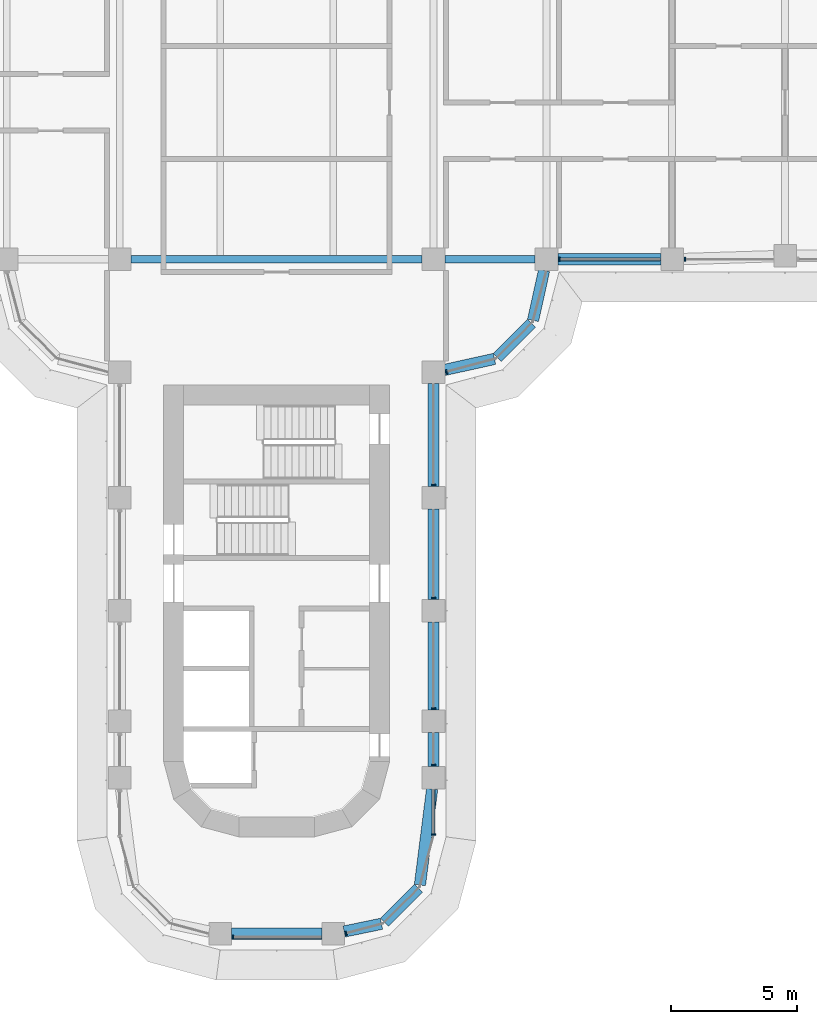
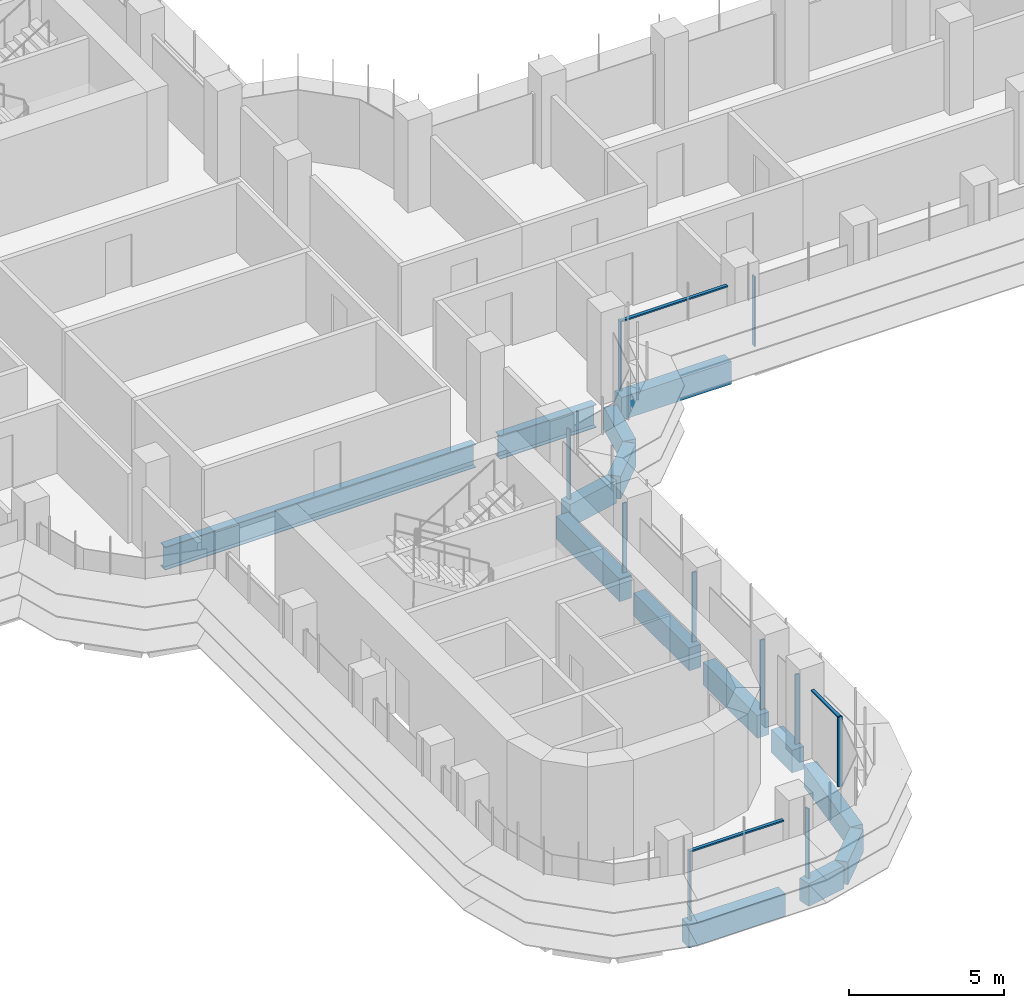
# One storey, part 4 of 22: 14 beams, 13 members, 5 elements without a shape of their own.
"""IFC4 building model written with IfcOpenShell, lengths in metres."""

from ifc_helpers import new_model, si_unit, direction, frame, origin, origin_2d, place, context, subcontext, project, spatial, polyline, rectangle, i_section, outline, extrude, source, transform, mapped, material, material_profile, profile_set, type_object, element, aggregate, save


model = new_model("IFC4")

# Units and contexts
model_context = context("Model", 3, precision=1e-05, world=origin(), true_north=direction((0.0, 1.0)))
body_context = subcontext(model_context, "Body", "Model", "MODEL_VIEW")
ifc_project = project(units=[si_unit("LENGTHUNIT", "METRE"), si_unit("AREAUNIT", "SQUARE_METRE"), si_unit("VOLUMEUNIT", "CUBIC_METRE"), si_unit("PLANEANGLEUNIT", "RADIAN"), si_unit("MASSUNIT", "GRAM", prefix="KILO")], contexts=[model_context])

# Site, building, storey
site_placement = place(None, origin())
site = spatial("IfcSite", under=ifc_project, at=site_placement, CompositionType="ELEMENT")
building_placement = place(site_placement, origin())
building = spatial("IfcBuilding", under=site, at=building_placement, Name="Zarbagh Exchange Tower", CompositionType="ELEMENT")
storey_placement = place(building_placement, frame((0.0, 0.0, 94.199951171875)))
storey = spatial("IfcBuildingStorey", under=building, at=storey_placement, Name="L21", CompositionType="ELEMENT", Elevation=94.199951171875)

# Beams
ifc_material_1 = material(Name="Steel ASTM A992 Gr 50", Category="steel")
ifc_material_profile_1 = material_profile(ifc_material_1, i_section(OverallWidth=0.3046875, OverallDepth=0.911865234375, WebThickness=0.015869140625, FlangeThickness=0.02392578125, at=origin_2d()), Name="W36X150")
ifc_profile_set_1 = profile_set([ifc_material_profile_1], Name="Steel ASTM A992 Gr 50")
beam_type_1 = type_object("IfcBeamType", Name="Floor girder W36X150", PredefinedType="BEAM", material=ifc_profile_set_1)
beam_1_placement = place(storey_placement, frame((-5.800048828125, -6.25, -0.60595703125), z_axis=(1.0, 0.0, 0.0), x_axis=(0.0, 1.0, 0.0)))
element("IfcBeam", 1, at=beam_1_placement, inside=storey, type_object=beam_type_1, Name="Steel girder", PredefinedType="BEAM", context=body_context, shape_type="SweptSolid", body=[
    extrude(i_section(OverallWidth=0.3046875, OverallDepth=0.911865234375, WebThickness=0.015869140625, FlangeThickness=0.02392578125, at=origin_2d()), origin(), (0.0, 0.0, 1.0), 11.60009765625),
])
beam_2_placement = place(storey_placement, frame((6.699951171875, -6.25, -0.60595703125), z_axis=(1.0, 0.0, 0.0), x_axis=(0.0, 1.0, 0.0)))
element("IfcBeam", 2, at=beam_2_placement, inside=storey, type_object=beam_type_1, Name="Steel girder", PredefinedType="BEAM", context=body_context, shape_type="SweptSolid", body=[
    extrude(i_section(OverallWidth=0.3046875, OverallDepth=0.911865234375, WebThickness=0.015869140625, FlangeThickness=0.02392578125, at=origin_2d()), origin(), (0.0, 0.0, 1.0), 3.60009765625),
])
ifc_material_2 = material(Name="Concrete C60/75", Category="concrete")
ifc_material_profile_2 = material_profile(ifc_material_2, rectangle(XDim=0.449951171875, YDim=0.89990234375, at=origin_2d()), Name="RC spandrel beam 450 x 900 C60/75")
ifc_profile_set_2 = profile_set([ifc_material_profile_2], Name="Concrete C60/75")
beam_type_2 = type_object("IfcBeamType", Name="RC spandrel beam 450 x 900 C60/75", PredefinedType="SPANDREL", material=ifc_profile_set_2)
beam_3_placement = place(storey_placement, frame((15.300048828125, -6.25, -0.599853515625), z_axis=(-1.0, 0.0, 0.0), x_axis=(0.0, -1.0, 0.0)))
element("IfcBeam", 3, at=beam_3_placement, inside=storey, type_object=beam_type_2, Name="RC spandrel beam", PredefinedType="SPANDREL", context=body_context, shape_type="SweptSolid", body=[
    extrude(rectangle(XDim=0.449951171875, YDim=0.89990234375, at=origin_2d()), origin(), (0.0, 0.0, 1.0), 4.10009765625),
])
beam_4_placement = place(storey_placement, frame((10.65283203125, -6.689453125, -0.599853515625), z_axis=(-0.216117666208, -0.976367325525, 0.0), x_axis=(0.976367325525, -0.216117666208, 0.0)))
element("IfcBeam", 4, at=beam_4_placement, inside=storey, type_object=beam_type_2, Name="RC spandrel beam", PredefinedType="SPANDREL", context=body_context, shape_type="SweptSolid", body=[
    extrude(rectangle(XDim=0.449951171875, YDim=0.89990234375, at=origin_2d()), origin(), (0.0, 0.0, 1.0), 2.03564453125),
])
beam_5_placement = place(storey_placement, frame((10.15234375, -8.78759765625, -0.599853515625), z_axis=(-0.707106781187, -0.707106781187, 0.0), x_axis=(0.707106781187, -0.707106781187, 0.0)))
element("IfcBeam", 5, at=beam_5_placement, inside=storey, type_object=beam_type_2, Name="RC spandrel beam", PredefinedType="SPANDREL", context=body_context, shape_type="SweptSolid", body=[
    extrude(rectangle(XDim=0.449951171875, YDim=0.89990234375, at=origin_2d()), origin(), (0.0, 0.0, 1.0), 1.929931640625),
])
beam_6_placement = place(storey_placement, frame((8.677001953125, -10.212890625, -0.599853515625), z_axis=(-0.976367325525, -0.216117666208, 0.0), x_axis=(0.216117666208, -0.976367325525, 0.0)))
element("IfcBeam", 6, at=beam_6_placement, inside=storey, type_object=beam_type_2, Name="RC spandrel beam", PredefinedType="SPANDREL", context=body_context, shape_type="SweptSolid", body=[
    extrude(rectangle(XDim=0.449951171875, YDim=0.89990234375, at=origin_2d()), origin(), (0.0, 0.0, 1.0), 2.03564453125),
])
beam_7_placement = place(storey_placement, frame((6.25, -11.199951171875, -0.599853515625), z_axis=(0.0, -1.0, 0.0), x_axis=(1.0, 0.0, 0.0)))
element("IfcBeam", 7, at=beam_7_placement, inside=storey, type_object=beam_type_2, Name="RC spandrel beam", PredefinedType="SPANDREL", context=body_context, shape_type="SweptSolid", body=[
    extrude(rectangle(XDim=0.449951171875, YDim=0.89990234375, at=origin_2d()), origin(), (0.0, 0.0, 1.0), 4.10009765625),
])
beam_8_placement = place(storey_placement, frame((6.25, -16.199951171875, -0.599853515625), z_axis=(0.0, -1.0, 0.0), x_axis=(1.0, 0.0, 0.0)))
element("IfcBeam", 8, at=beam_8_placement, inside=storey, type_object=beam_type_2, Name="RC spandrel beam", PredefinedType="SPANDREL", context=body_context, shape_type="SweptSolid", body=[
    extrude(rectangle(XDim=0.449951171875, YDim=0.89990234375, at=origin_2d()), origin(), (0.0, 0.0, 1.0), 3.60009765625),
])
beam_9_placement = place(storey_placement, frame((6.25, -20.699951171875, -0.599853515625), z_axis=(0.0, -1.0, 0.0), x_axis=(1.0, 0.0, 0.0)))
element("IfcBeam", 9, at=beam_9_placement, inside=storey, type_object=beam_type_2, Name="RC spandrel beam", PredefinedType="SPANDREL", context=body_context, shape_type="SweptSolid", body=[
    extrude(rectangle(XDim=0.449951171875, YDim=0.89990234375, at=origin_2d()), origin(), (0.0, 0.0, 1.0), 3.5),
])
beam_10_placement = place(storey_placement, frame((6.25, -25.10009765625, -0.599853515625), z_axis=(0.0, -1.0, 0.0), x_axis=(1.0, 0.0, 0.0)))
element("IfcBeam", 10, at=beam_10_placement, inside=storey, type_object=beam_type_2, Name="RC spandrel beam", PredefinedType="SPANDREL", context=body_context, shape_type="SweptSolid", body=[
    extrude(rectangle(XDim=0.449951171875, YDim=0.89990234375, at=origin_2d()), origin(), (0.0, 0.0, 1.0), 1.349853515625),
])
beam_11_placement = place(storey_placement, frame((6.193359375, -27.346435546875, -0.599853515625), z_axis=(-0.12597055537, -0.992033980859, 0.0), x_axis=(0.992033980859, -0.12597055537, 0.0)))
element("IfcBeam", 11, at=beam_11_placement, inside=storey, type_object=beam_type_2, Name="RC spandrel beam", PredefinedType="SPANDREL", context=body_context, shape_type="SweptSolid", body=[
    extrude(rectangle(XDim=0.449951171875, YDim=0.89990234375, at=origin_2d()), origin(), (0.0, 0.0, 1.0), 3.84912109375),
])
beam_12_placement = place(storey_placement, frame((5.644287109375, -31.295654296875, -0.599853515625), z_axis=(-0.707106781187, -0.707106781187, 0.0), x_axis=(0.707106781187, -0.707106781187, 0.0)))
element("IfcBeam", 12, at=beam_12_placement, inside=storey, type_object=beam_type_2, Name="RC spandrel beam", PredefinedType="SPANDREL", context=body_context, shape_type="SweptSolid", body=[
    extrude(rectangle(XDim=0.449951171875, YDim=0.89990234375, at=origin_2d()), origin(), (0.0, 0.0, 1.0), 1.9169921875),
])
beam_13_placement = place(storey_placement, frame((4.17529296875, -32.71240234375, -0.599853515625), z_axis=(-0.979328675816, -0.202275417995, 0.0), x_axis=(0.202275417995, -0.979328675816, 0.0)))
element("IfcBeam", 13, at=beam_13_placement, inside=storey, type_object=beam_type_2, Name="RC spandrel beam", PredefinedType="SPANDREL", context=body_context, shape_type="SweptSolid", body=[
    extrude(rectangle(XDim=0.449951171875, YDim=0.89990234375, at=origin_2d()), origin(), (0.0, 0.0, 1.0), 1.515869140625),
])
beam_14_placement = place(storey_placement, frame((1.800048828125, -33.110107421875, -0.599853515625), z_axis=(-1.0, 0.0, 0.0), x_axis=(0.0, -1.0, 0.0)))
element("IfcBeam", 14, at=beam_14_placement, inside=storey, type_object=beam_type_2, Name="RC spandrel beam", PredefinedType="SPANDREL", context=body_context, shape_type="SweptSolid", body=[
    extrude(rectangle(XDim=0.449951171875, YDim=0.89990234375, at=origin_2d()), origin(), (0.0, 0.0, 1.0), 3.60009765625),
])

# Curtain wall, member
ifc_material_3 = material(Name="Anodised aluminium frame and glazing", Category="aluminium")
curtain_wall_type = type_object("IfcCurtainWallType", Name="CWA Ribbon glazing, lower zones", PredefinedType="NOTDEFINED", material=ifc_material_3)
curtain_wall_1_placement = place(storey_placement, origin())
curtain_wall_1 = element("IfcCurtainWall", 15, at=curtain_wall_1_placement, inside=storey, type_object=curtain_wall_type, Name="CWA01 curtain wall", PredefinedType="NOTDEFINED")
ifc_material_4 = material(Name="Anodised aluminium frame", Category="aluminium")
member_type_1 = type_object("IfcMemberType", Name="MUA Mullion, anodised aluminium frame", PredefinedType="MULLION", material=ifc_material_4)
shared_shape_1 = source(origin(), body_context, "Body", "SweptSolid", [
    extrude(outline(polyline([(0.0, -0.080078125), (0.06005859375, -0.080078125), (0.06005859375, 0.080078125), (0.0, 0.080078125), (0.0, -0.080078125)])), origin(), (0.0, 0.0, 1.0), 2.75),
])
placement = place(storey_placement, origin())
member_1 = element("IfcMember", 16, at=placement, type_object=member_type_1, Name="CWA01 mullion 1.1", PredefinedType="MULLION", context=body_context, shape_type="MappedRepresentation", body=[
    mapped(shared_shape_1, transform((2.739990234375, -33.10107421875, 0.0), x_axis=(0.965924289636, 0.258824779902, 0.0), y_axis=(-0.258824779902, 0.965924289636, 0.0), z_axis=(0.0, 0.0, 1.0))),
])
aggregate(curtain_wall_1, [member_1])

# Curtain wall, members
curtain_wall_2_placement = place(storey_placement, origin())
curtain_wall_2 = element("IfcCurtainWall", 17, at=curtain_wall_2_placement, inside=storey, type_object=curtain_wall_type, Name="CWA04 curtain wall", PredefinedType="NOTDEFINED")
member_2 = element("IfcMember", 18, at=placement, type_object=member_type_1, Name="CWA04 mullion 1.1", PredefinedType="MULLION", context=body_context, shape_type="MappedRepresentation", body=[
    mapped(shared_shape_1, transform((6.25, -29.18408203125, 0.0), x_axis=(0.0, 1.0, 0.0), y_axis=(-1.0, 0.0, 0.0), z_axis=(0.0, 0.0, 1.0))),
])
member_3 = element("IfcMember", 19, at=placement, type_object=member_type_1, Name="CWA04 mullion 2.1", PredefinedType="MULLION", context=body_context, shape_type="MappedRepresentation", body=[
    mapped(shared_shape_1, transform((6.25, -26.409912109375, 0.0), x_axis=(0.0, 1.0, 0.0), y_axis=(-1.0, 0.0, 0.0), z_axis=(0.0, 0.0, 1.0))),
])
member_4 = element("IfcMember", 20, at=placement, type_object=member_type_1, Name="CWA04 mullion 3.1", PredefinedType="MULLION", context=body_context, shape_type="MappedRepresentation", body=[
    mapped(shared_shape_1, transform((6.25, -24.159912109375, 0.0), x_axis=(0.0, 1.0, 0.0), y_axis=(-1.0, 0.0, 0.0), z_axis=(0.0, 0.0, 1.0))),
])
member_5 = element("IfcMember", 21, at=placement, type_object=member_type_1, Name="CWA04 mullion 4.1", PredefinedType="MULLION", context=body_context, shape_type="MappedRepresentation", body=[
    mapped(shared_shape_1, transform((6.25, -19.760009765625, 0.0), x_axis=(0.0, 1.0, 0.0), y_axis=(-1.0, 0.0, 0.0), z_axis=(0.0, 0.0, 1.0))),
])
member_6 = element("IfcMember", 22, at=placement, type_object=member_type_1, Name="CWA04 mullion 5.1", PredefinedType="MULLION", context=body_context, shape_type="MappedRepresentation", body=[
    mapped(shared_shape_1, transform((6.25, -15.260009765625, 0.0), x_axis=(0.0, 1.0, 0.0), y_axis=(-1.0, 0.0, 0.0), z_axis=(0.0, 0.0, 1.0))),
])

# Curtain wall, member
curtain_wall_3_placement = place(storey_placement, origin())
curtain_wall_3 = element("IfcCurtainWall", 23, at=curtain_wall_3_placement, inside=storey, type_object=curtain_wall_type, Name="CWA05 curtain wall", PredefinedType="NOTDEFINED")
member_7 = element("IfcMember", 24, at=placement, type_object=member_type_1, Name="CWA05 mullion 1.1", PredefinedType="MULLION", context=body_context, shape_type="MappedRepresentation", body=[
    mapped(shared_shape_1, transform((6.739990234375, -10.735107421875, 0.0), x_axis=(0.965924289636, 0.258824779902, 0.0), y_axis=(-0.258824779902, 0.965924289636, 0.0), z_axis=(0.0, 0.0, 1.0))),
])
aggregate(curtain_wall_3, [member_7])

# Curtain wall, members
curtain_wall_4_placement = place(storey_placement, origin())
curtain_wall_4 = element("IfcCurtainWall", 25, at=curtain_wall_4_placement, inside=storey, type_object=curtain_wall_type, Name="CWA08 curtain wall", PredefinedType="NOTDEFINED")
member_8 = element("IfcMember", 26, at=placement, type_object=member_type_1, Name="CWA08 mullion 1.1", PredefinedType="MULLION", context=body_context, shape_type="MappedRepresentation", body=[
    mapped(shared_shape_1, transform((11.239990234375, -6.25, 0.0), x_axis=(1.0, 0.0, 0.0), y_axis=(0.0, 1.0, 0.0), z_axis=(0.0, 0.0, 1.0))),
])
member_9 = element("IfcMember", 27, at=placement, type_object=member_type_1, Name="CWA08 mullion 2.1", PredefinedType="MULLION", context=body_context, shape_type="MappedRepresentation", body=[
    mapped(shared_shape_1, transform((16.239990234375, -6.25, 0.0), x_axis=(1.0, 0.0, 0.0), y_axis=(0.0, 1.0, 0.0), z_axis=(0.0, 0.0, 1.0))),
])

# Curtain wall, member
curtain_wall_5_placement = place(storey_placement, origin())
curtain_wall_5 = element("IfcCurtainWall", 28, at=curtain_wall_5_placement, inside=storey, type_object=curtain_wall_type, Name="CWA48 curtain wall", PredefinedType="NOTDEFINED")
member_10 = element("IfcMember", 29, at=placement, type_object=member_type_1, Name="CWA48 mullion 1.1", PredefinedType="MULLION", context=body_context, shape_type="MappedRepresentation", body=[
    mapped(shared_shape_1, transform((-1.760009765625, -33.25, 0.0), x_axis=(1.0, 0.0, 0.0), y_axis=(0.0, 1.0, 0.0), z_axis=(0.0, 0.0, 1.0))),
])

# Member
member_type_2 = type_object("IfcMemberType", Name="TRA Transom, anodised aluminium frame", PredefinedType="USERDEFINED", material=ifc_material_4)
shared_shape_2 = source(origin(), body_context, "Body", "SweptSolid", [
    extrude(outline(polyline([(-0.06005859375, -0.06005859375), (0.0, -0.06005859375), (0.0, 0.06005859375), (-0.06005859375, 0.06005859375), (-0.06005859375, -0.06005859375)])), origin(), (0.0, 0.0, 1.0), 1.734130859375),
])
member_11 = element("IfcMember", 30, at=placement, type_object=member_type_2, Name="CWA04 transom 1.1", ObjectType="TRANSOM", PredefinedType="USERDEFINED", context=body_context, shape_type="MappedRepresentation", body=[
    mapped(shared_shape_2, transform((6.25, -29.124267578125, 2.75), x_axis=(0.0, 0.0, 1.0), y_axis=(1.0, 0.0, 0.0), z_axis=(0.0, 1.0, 0.0))),
])

aggregate(curtain_wall_2, [member_2, member_11, member_3, member_4, member_5, member_6])

shared_shape_3 = source(origin(), body_context, "Body", "SweptSolid", [
    extrude(outline(polyline([(-0.06005859375, -0.06005859375), (0.0, -0.06005859375), (0.0, 0.06005859375), (-0.06005859375, 0.06005859375), (-0.06005859375, -0.06005859375)])), origin(), (0.0, 0.0, 1.0), 3.9599609375),
])
member_12 = element("IfcMember", 31, at=placement, type_object=member_type_2, Name="CWA08 transom 1.1", ObjectType="TRANSOM", PredefinedType="USERDEFINED", context=body_context, shape_type="MappedRepresentation", body=[
    mapped(shared_shape_3, transform((11.300048828125, -6.25, 2.75), x_axis=(0.0, 0.0, 1.0), y_axis=(0.0, -1.0, 0.0), z_axis=(1.0, 0.0, 0.0))),
])

aggregate(curtain_wall_4, [member_8, member_12, member_9])

shared_shape_4 = source(origin(), body_context, "Body", "SweptSolid", [
    extrude(outline(polyline([(-0.06005859375, -0.06005859375), (0.0, -0.06005859375), (0.0, 0.06005859375), (-0.06005859375, 0.06005859375), (-0.06005859375, -0.06005859375)])), origin(), (0.0, 0.0, 1.0), 3.4599609375),
])
member_13 = element("IfcMember", 32, at=placement, type_object=member_type_2, Name="CWA48 transom 1.1", ObjectType="TRANSOM", PredefinedType="USERDEFINED", context=body_context, shape_type="MappedRepresentation", body=[
    mapped(shared_shape_4, transform((-1.699951171875, -33.25, 2.75), x_axis=(0.0, 0.0, 1.0), y_axis=(0.0, -1.0, 0.0), z_axis=(1.0, 0.0, 0.0))),
])

aggregate(curtain_wall_5, [member_10, member_13])

save(model, "model.ifc")
